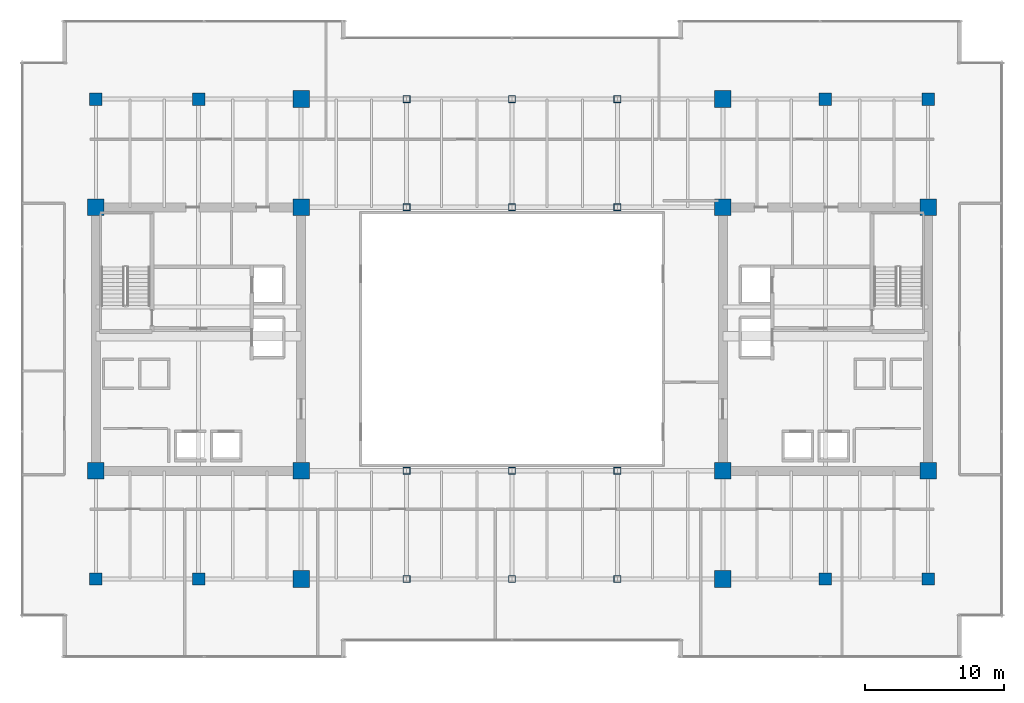
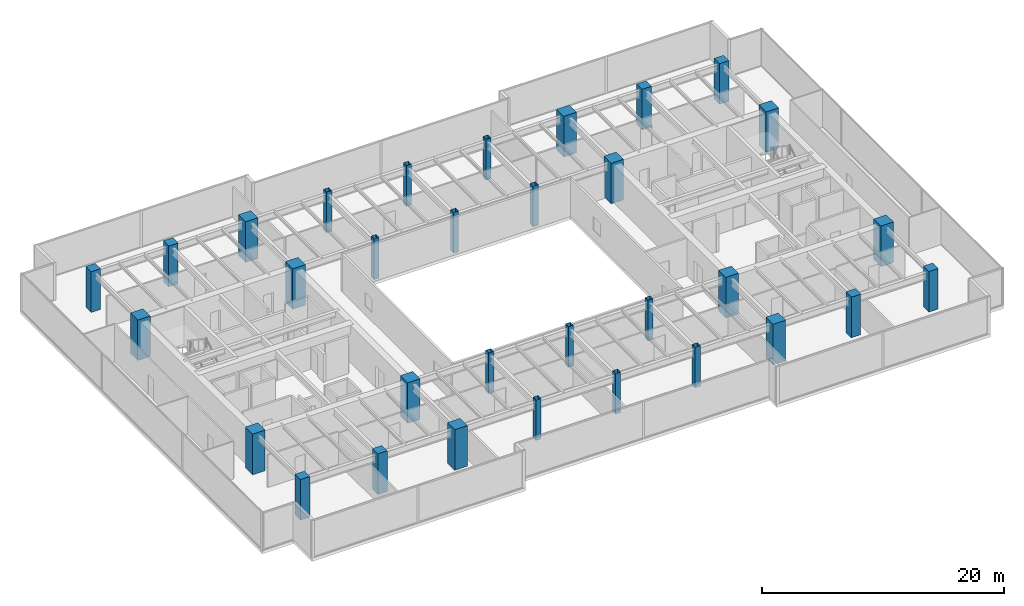
# One storey, part 1 of 30: 32 columns.
"""IFC4 building model written with IfcOpenShell, lengths in metres."""

from ifc_helpers import new_model, si_unit, direction, frame, origin, origin_2d, place, context, subcontext, project, spatial, rectangle, hollow_rectangle, extrude, source, transform, mapped, material, material_profile, profile_set, type_object, type_shapes, element, save


model = new_model("IFC4")

# Units and contexts
model_context = context("Model", 3, precision=1e-05, world=origin(), true_north=direction((0.0, 1.0)))
body_context = subcontext(model_context, "Body", "Model", "MODEL_VIEW")
ifc_project = project(units=[si_unit("LENGTHUNIT", "METRE"), si_unit("AREAUNIT", "SQUARE_METRE"), si_unit("VOLUMEUNIT", "CUBIC_METRE"), si_unit("PLANEANGLEUNIT", "RADIAN"), si_unit("MASSUNIT", "GRAM", prefix="KILO")], contexts=[model_context])

# Site, building, storey
site_placement = place(None, origin())
site = spatial("IfcSite", under=ifc_project, at=site_placement, CompositionType="ELEMENT")
building_placement = place(site_placement, origin())
building = spatial("IfcBuilding", under=site, at=building_placement, Name="Haelvirn Gate Laboratories", CompositionType="ELEMENT")
storey_placement = place(building_placement, frame((0.0, 0.0, 129.699951171875)))
storey = spatial("IfcBuildingStorey", under=building, at=storey_placement, Name="L31", CompositionType="ELEMENT", Elevation=129.699951171875)

# Columns
ifc_material_1 = material(Name="Concrete C50/60", Category="concrete")
ifc_material_profile_1 = material_profile(ifc_material_1, rectangle(XDim=0.89990234375, YDim=0.89990234375, at=origin_2d()), Name="RC-900x900")
ifc_profile_set_1 = profile_set([ifc_material_profile_1], Name="Concrete C50/60")
column_type_1 = type_object("IfcColumnType", Name="COL-RC-900", PredefinedType="COLUMN", material=ifc_profile_set_1)
shared_shape_1 = source(origin(), body_context, "Body", "SweptSolid", [
    extrude(rectangle(XDim=0.89990234375, YDim=0.89990234375, at=origin_2d()), origin(), (0.0, 0.0, 1.0), 4.10009765625),
])
type_shapes(column_type_1, [shared_shape_1])
for number, where, z_axis, x_axis, name in (
    (1, (14.800048828125, 7.0, 0.0), (0.0, 0.0, 1.0), (1.0, 0.0, 0.0), "L31 Column 3B"),
    (2, (14.800048828125, 41.60009765625, 0.0), (0.0, 0.0, 1.0), (1.0, 0.0, 0.0), "L31 Column 3G"),
    (3, (60.0, 7.0, 0.0), (0.0, 0.0, 1.0), (1.0, 0.0, 0.0), "L31 Column 9B"),
    (4, (60.0, 41.60009765625, 0.0), (0.0, 0.0, 1.0), (1.0, 0.0, 0.0), "L31 Column 9G"),
    (5, (7.39990234375, 7.0, 0.0), (0.0, 0.0, 1.0), (1.0, 0.0, 0.0), "L31 Column 2B"),
    (6, (7.39990234375, 41.60009765625, 0.0), (0.0, 0.0, 1.0), (1.0, 0.0, 0.0), "L31 Column 2G"),
    (7, (67.39990234375, 7.0, 0.0), (0.0, 0.0, 1.0), (1.0, 0.0, 0.0), "L31 Column 10B"),
    (8, (67.39990234375, 41.60009765625, 0.0), (0.0, 0.0, 1.0), (1.0, 0.0, 0.0), "L31 Column 10G"),
):
    element("IfcColumn", number, at=place(storey_placement, frame(where, z_axis=z_axis, x_axis=x_axis)), inside=storey, type_object=column_type_1, Name=name, PredefinedType="COLUMN", context=body_context, shape_type="MappedRepresentation", body=[
        mapped(shared_shape_1, transform((0.0, 0.0, 0.0), scale=1.0)),
    ])
ifc_material_2 = material(Name="Concrete C60/75", Category="concrete")
ifc_material_profile_2 = material_profile(ifc_material_2, rectangle(XDim=1.199951171875, YDim=1.199951171875, at=origin_2d()), Name="SRC-1200x1200")
ifc_profile_set_2 = profile_set([ifc_material_profile_2], Name="Concrete C60/75")
column_type_2 = type_object("IfcColumnType", Name="COL-SRC-1200", PredefinedType="COLUMN", material=ifc_profile_set_2)
shared_shape_2 = source(origin(), body_context, "Body", "SweptSolid", [
    extrude(rectangle(XDim=1.199951171875, YDim=1.199951171875, at=origin_2d()), origin(), (0.0, 0.0, 1.0), 4.10009765625),
])
type_shapes(column_type_2, [shared_shape_2])
for number, where, z_axis, x_axis, name in (
    (9, (22.199951171875, 7.0, 0.0), (0.0, 0.0, 1.0), (1.0, 0.0, 0.0), "L31 Column 4B"),
    (10, (7.39990234375, 14.800048828125, 0.0), (0.0, 0.0, 1.0), (1.0, 0.0, 0.0), "L31 Column 2C"),
    (11, (22.199951171875, 14.800048828125, 0.0), (0.0, 0.0, 1.0), (1.0, 0.0, 0.0), "L31 Column 4C"),
    (12, (7.39990234375, 33.800048828125, 0.0), (0.0, 0.0, 1.0), (1.0, 0.0, 0.0), "L31 Column 2F"),
    (13, (22.199951171875, 33.800048828125, 0.0), (0.0, 0.0, 1.0), (1.0, 0.0, 0.0), "L31 Column 4F"),
    (14, (22.199951171875, 41.60009765625, 0.0), (0.0, 0.0, 1.0), (1.0, 0.0, 0.0), "L31 Column 4G"),
    (15, (52.60009765625, 7.0, 0.0), (0.0, 0.0, 1.0), (1.0, 0.0, 0.0), "L31 Column 8B"),
    (16, (52.60009765625, 14.800048828125, 0.0), (0.0, 0.0, 1.0), (1.0, 0.0, 0.0), "L31 Column 8C"),
    (17, (67.39990234375, 14.800048828125, 0.0), (0.0, 0.0, 1.0), (1.0, 0.0, 0.0), "L31 Column 10C"),
    (18, (52.60009765625, 33.800048828125, 0.0), (0.0, 0.0, 1.0), (1.0, 0.0, 0.0), "L31 Column 8F"),
    (19, (67.39990234375, 33.800048828125, 0.0), (0.0, 0.0, 1.0), (1.0, 0.0, 0.0), "L31 Column 10F"),
    (20, (52.60009765625, 41.60009765625, 0.0), (0.0, 0.0, 1.0), (1.0, 0.0, 0.0), "L31 Column 8G"),
):
    element("IfcColumn", number, at=place(storey_placement, frame(where, z_axis=z_axis, x_axis=x_axis)), inside=storey, type_object=column_type_2, Name=name, PredefinedType="COLUMN", context=body_context, shape_type="MappedRepresentation", body=[
        mapped(shared_shape_2, transform((0.0, 0.0, 0.0), scale=1.0)),
    ])
ifc_material_3 = material(Name="Steel SM355", Category="steel")
ifc_material_profile_3 = material_profile(ifc_material_3, hollow_rectangle(XDim=0.5, YDim=0.5, WallThickness=0.02197265625, at=origin_2d()), Name="BOX-500x500x22")
ifc_profile_set_3 = profile_set([ifc_material_profile_3], Name="Steel SM355")
column_type_3 = type_object("IfcColumnType", Name="COL-BOX-500", PredefinedType="COLUMN", material=ifc_profile_set_3)
shared_shape_3 = source(origin(), body_context, "Body", "SweptSolid", [
    extrude(hollow_rectangle(XDim=0.5, YDim=0.5, WallThickness=0.02197265625, at=origin_2d()), origin(), (0.0, 0.0, 1.0), 4.10009765625),
])
type_shapes(column_type_3, [shared_shape_3])
for number, where, z_axis, x_axis, name in (
    (21, (29.800048828125, 7.0, 0.0), (0.0, 0.0, 1.0), (1.0, 0.0, 0.0), "L31 Column 5B"),
    (22, (29.800048828125, 14.800048828125, 0.0), (0.0, 0.0, 1.0), (1.0, 0.0, 0.0), "L31 Column 5C"),
    (23, (29.800048828125, 33.800048828125, 0.0), (0.0, 0.0, 1.0), (1.0, 0.0, 0.0), "L31 Column 5F"),
    (24, (29.800048828125, 41.60009765625, 0.0), (0.0, 0.0, 1.0), (1.0, 0.0, 0.0), "L31 Column 5G"),
    (25, (37.39990234375, 7.0, 0.0), (0.0, 0.0, 1.0), (1.0, 0.0, 0.0), "L31 Column 6B"),
    (26, (37.39990234375, 14.800048828125, 0.0), (0.0, 0.0, 1.0), (1.0, 0.0, 0.0), "L31 Column 6C"),
    (27, (37.39990234375, 33.800048828125, 0.0), (0.0, 0.0, 1.0), (1.0, 0.0, 0.0), "L31 Column 6F"),
    (28, (37.39990234375, 41.60009765625, 0.0), (0.0, 0.0, 1.0), (1.0, 0.0, 0.0), "L31 Column 6G"),
    (29, (45.0, 7.0, 0.0), (0.0, 0.0, 1.0), (1.0, 0.0, 0.0), "L31 Column 7B"),
    (30, (45.0, 14.800048828125, 0.0), (0.0, 0.0, 1.0), (1.0, 0.0, 0.0), "L31 Column 7C"),
    (31, (45.0, 33.800048828125, 0.0), (0.0, 0.0, 1.0), (1.0, 0.0, 0.0), "L31 Column 7F"),
    (32, (45.0, 41.60009765625, 0.0), (0.0, 0.0, 1.0), (1.0, 0.0, 0.0), "L31 Column 7G"),
):
    element("IfcColumn", number, at=place(storey_placement, frame(where, z_axis=z_axis, x_axis=x_axis)), inside=storey, type_object=column_type_3, Name=name, PredefinedType="COLUMN", context=body_context, shape_type="MappedRepresentation", body=[
        mapped(shared_shape_3, transform((0.0, 0.0, 0.0), scale=1.0)),
    ])

save(model, "model.ifc")
